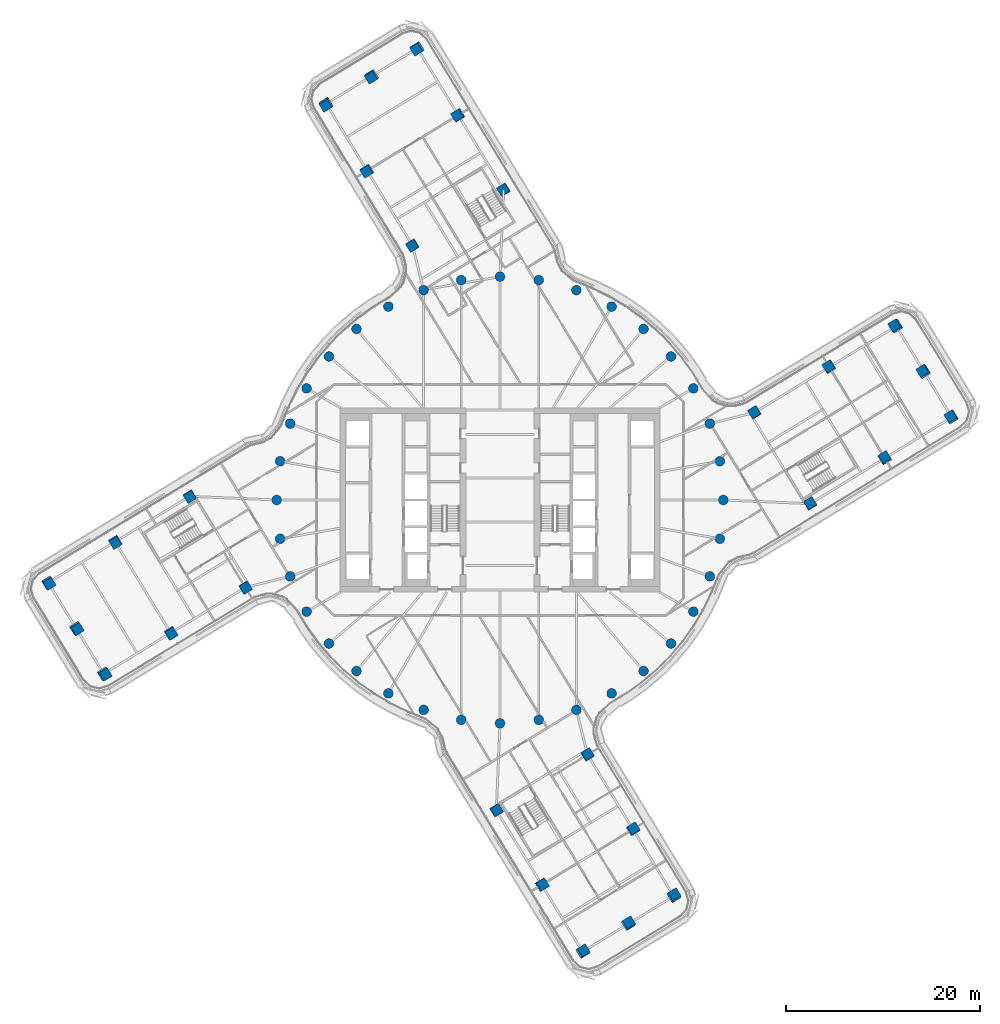
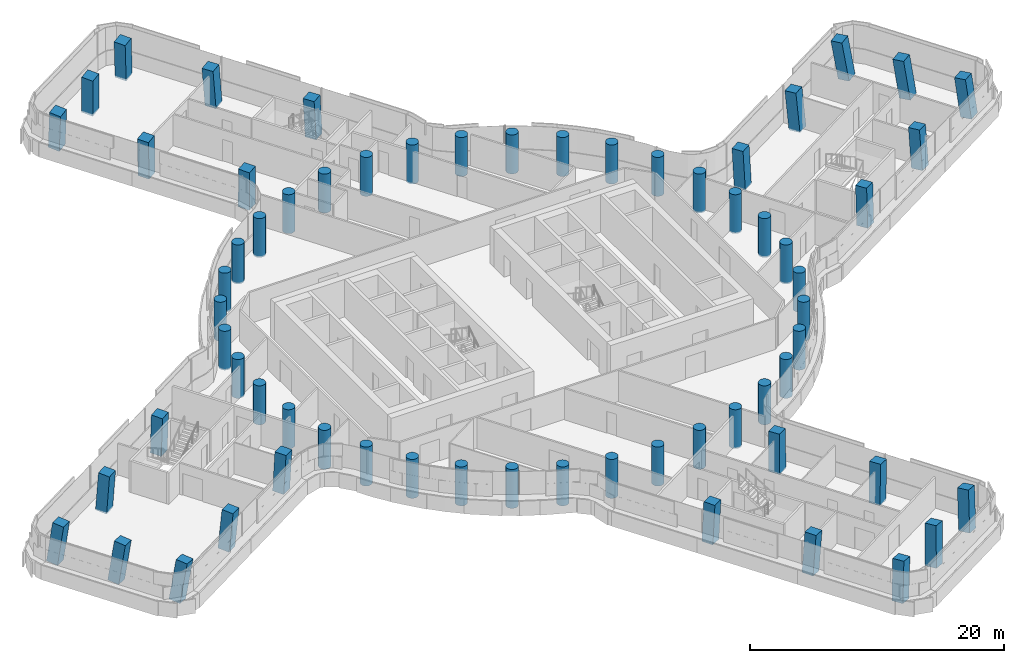
# One storey, part 1 of 35: 64 columns.
"""IFC4 building model written with IfcOpenShell, lengths in metres."""

from ifc_helpers import new_model, si_unit, direction, frame, origin, origin_2d, place, context, subcontext, project, spatial, rectangle, circle, extrude, material, material_profile, profile_set, type_object, element, save


model = new_model("IFC4")

# Units and contexts
model_context = context("Model", 3, precision=1e-05, world=origin(), true_north=direction((0.0, 1.0)))
body_context = subcontext(model_context, "Body", "Model", "MODEL_VIEW")
ifc_project = project(units=[si_unit("LENGTHUNIT", "METRE"), si_unit("AREAUNIT", "SQUARE_METRE"), si_unit("VOLUMEUNIT", "CUBIC_METRE"), si_unit("PLANEANGLEUNIT", "RADIAN"), si_unit("MASSUNIT", "GRAM", prefix="KILO")], contexts=[model_context])

# Site, building, storey
site_placement = place(None, origin())
site = spatial("IfcSite", under=ifc_project, at=site_placement, CompositionType="ELEMENT")
building_placement = place(site_placement, origin())
building = spatial("IfcBuilding", under=site, at=building_placement, Name="Tamarind Cross Interchange Tower", CompositionType="ELEMENT")
storey_placement = place(building_placement, frame((0.0, 0.0, 148.0)))
storey = spatial("IfcBuildingStorey", under=building, at=storey_placement, Name="L36", CompositionType="ELEMENT", Elevation=148.0)

# Columns
ifc_material = material(Name="Concrete C60", Category="concrete")
ifc_material_profile_1 = material_profile(ifc_material, rectangle(XDim=1.0, YDim=1.0, at=origin_2d()), Name="RC 1000x1000")
ifc_profile_set_1 = profile_set([ifc_material_profile_1], Name="Concrete C60")
column_type_1 = type_object("IfcColumnType", Name="Column RC 1000x1000 Concrete C60", PredefinedType="COLUMN", material=ifc_profile_set_1)
for number, where, z_axis, x_axis, name in (
    (1, (33.9140625, 13.696533203125, -0.138427734375), (-0.06685437675, 0.057053395304, 0.996130213573), (0.517672796484, -0.851493128503, 0.083512441541), "Column L36-036"),
    (2, (39.63623046875, 4.3017578125, -0.138427734375), (-0.021613905345, 0.085287302171, 0.996121937909), (-0.854423268053, -0.518932095216, 0.025891302851), "Column L36-037"),
):
    element("IfcColumn", number, at=place(storey_placement, frame(where, z_axis=z_axis, x_axis=x_axis)), inside=storey, type_object=column_type_1, Name=name, PredefinedType="COLUMN", context=body_context, shape_type="SweptSolid", body=[
        extrude(rectangle(XDim=1.0, YDim=1.0, at=origin_2d()), origin(), (0.0, 0.0, 1.0), 3.761474609375),
    ])
for number, where, z_axis, x_axis, name in (
    (3, (26.227783203125, 9.014892578125, -0.138671875), (-0.043990409117, 0.020108042037, 0.998829570323), (0.519858930305, -0.853311640668, 0.040074137328), "Column L36-038"),
    (4, (31.94970703125, -0.3798828125, -0.138671875), (0.001366565868, 0.048350401909, 0.998829500532), (-0.853631840504, -0.520209930488, 0.026349745717), "Column L36-039"),
):
    element("IfcColumn", number, at=place(storey_placement, frame(where, z_axis=z_axis, x_axis=x_axis)), inside=storey, type_object=column_type_1, Name=name, PredefinedType="COLUMN", context=body_context, shape_type="SweptSolid", body=[
        extrude(rectangle(XDim=1.0, YDim=1.0, at=origin_2d()), origin(), (0.0, 0.0, 1.0), 3.751708984375),
    ])
column_1_placement = place(storey_placement, frame((46.533935546875, 8.503662109375, -0.13525390625), z_axis=(-0.099531903881, 0.081423435339, 0.991697345105), x_axis=(0.514277257459, -0.848999233082, 0.121322729469)))
element("IfcColumn", 5, at=column_1_placement, inside=storey, type_object=column_type_1, Name="Column L36-040", PredefinedType="COLUMN", context=body_context, shape_type="SweptSolid", body=[
    extrude(rectangle(XDim=1.0, YDim=1.0, at=origin_2d()), origin(), (0.0, 0.0, 1.0), 3.77490234375),
])
column_2_placement = place(storey_placement, frame((43.6728515625, 13.200927734375, -0.135009765625), z_axis=(-0.121876735949, 0.067364830734, 0.990256553028), x_axis=(0.512743739526, -0.849982413295, 0.120928717294)))
element("IfcColumn", 6, at=column_2_placement, inside=storey, type_object=column_type_1, Name="Column L36-041", PredefinedType="COLUMN", context=body_context, shape_type="SweptSolid", body=[
    extrude(rectangle(XDim=1.0, YDim=1.0, at=origin_2d()), origin(), (0.0, 0.0, 1.0), 3.780029296875),
])
column_3_placement = place(storey_placement, frame((40.811767578125, 17.898193359375, -0.135009765625), z_axis=(-0.144044417453, 0.053235207524, 0.988138258788), x_axis=(0.511595326896, -0.850747638075, 0.120410455561)))
element("IfcColumn", 7, at=column_3_placement, inside=storey, type_object=column_type_1, Name="Column L36-042", PredefinedType="COLUMN", context=body_context, shape_type="SweptSolid", body=[
    extrude(rectangle(XDim=1.0, YDim=1.0, at=origin_2d()), origin(), (0.0, 0.0, 1.0), 3.7880859375),
])
for number, where, z_axis, x_axis, name in (
    (8, (-13.696533203125, 33.9140625, -0.138427734375), (-0.057053395304, -0.06685437675, 0.996130213573), (0.851493128503, 0.517672796484, 0.083512441541), "Column L36-043"),
    (9, (-4.3017578125, 39.63623046875, -0.138427734375), (-0.085287302171, -0.021613905345, 0.996121937909), (0.518932095216, -0.854423268053, 0.025891302851), "Column L36-044"),
):
    element("IfcColumn", number, at=place(storey_placement, frame(where, z_axis=z_axis, x_axis=x_axis)), inside=storey, type_object=column_type_1, Name=name, PredefinedType="COLUMN", context=body_context, shape_type="SweptSolid", body=[
        extrude(rectangle(XDim=1.0, YDim=1.0, at=origin_2d()), origin(), (0.0, 0.0, 1.0), 3.761474609375),
    ])
for number, where, z_axis, x_axis, name in (
    (10, (-9.014892578125, 26.227783203125, -0.138671875), (-0.020108042037, -0.043990409117, 0.998829570323), (0.853311640668, 0.519858930305, 0.040074137328), "Column L36-045"),
    (11, (0.3798828125, 31.94970703125, -0.138671875), (-0.048350401909, 0.001366565868, 0.998829500532), (0.520209930488, -0.853631840504, 0.026349745717), "Column L36-046"),
):
    element("IfcColumn", number, at=place(storey_placement, frame(where, z_axis=z_axis, x_axis=x_axis)), inside=storey, type_object=column_type_1, Name=name, PredefinedType="COLUMN", context=body_context, shape_type="SweptSolid", body=[
        extrude(rectangle(XDim=1.0, YDim=1.0, at=origin_2d()), origin(), (0.0, 0.0, 1.0), 3.751708984375),
    ])
column_4_placement = place(storey_placement, frame((-8.503662109375, 46.533935546875, -0.13525390625), z_axis=(-0.081423435339, -0.099531903881, 0.991697345105), x_axis=(0.848999233082, 0.514277257459, 0.121322729469)))
element("IfcColumn", 12, at=column_4_placement, inside=storey, type_object=column_type_1, Name="Column L36-047", PredefinedType="COLUMN", context=body_context, shape_type="SweptSolid", body=[
    extrude(rectangle(XDim=1.0, YDim=1.0, at=origin_2d()), origin(), (0.0, 0.0, 1.0), 3.77490234375),
])
column_5_placement = place(storey_placement, frame((-13.200927734375, 43.6728515625, -0.135009765625), z_axis=(-0.067364830734, -0.121876735949, 0.990256553028), x_axis=(0.849982413295, 0.512743739526, 0.120928717294)))
element("IfcColumn", 13, at=column_5_placement, inside=storey, type_object=column_type_1, Name="Column L36-048", PredefinedType="COLUMN", context=body_context, shape_type="SweptSolid", body=[
    extrude(rectangle(XDim=1.0, YDim=1.0, at=origin_2d()), origin(), (0.0, 0.0, 1.0), 3.780029296875),
])
column_6_placement = place(storey_placement, frame((-17.898193359375, 40.811767578125, -0.135009765625), z_axis=(-0.053235207524, -0.144044417453, 0.988138258788), x_axis=(0.850747638075, 0.511595326896, 0.120410455561)))
element("IfcColumn", 14, at=column_6_placement, inside=storey, type_object=column_type_1, Name="Column L36-049", PredefinedType="COLUMN", context=body_context, shape_type="SweptSolid", body=[
    extrude(rectangle(XDim=1.0, YDim=1.0, at=origin_2d()), origin(), (0.0, 0.0, 1.0), 3.7880859375),
])
for number, where, z_axis, x_axis, name in (
    (15, (-33.9140625, -13.696533203125, -0.138427734375), (0.06685437675, -0.057053395304, 0.996130213573), (-0.517672796484, 0.851493128503, 0.083512441541), "Column L36-050"),
    (16, (-39.63623046875, -4.3017578125, -0.138427734375), (0.021613905345, -0.085287302171, 0.996121937909), (0.854423268053, 0.518932095216, 0.025891302851), "Column L36-051"),
):
    element("IfcColumn", number, at=place(storey_placement, frame(where, z_axis=z_axis, x_axis=x_axis)), inside=storey, type_object=column_type_1, Name=name, PredefinedType="COLUMN", context=body_context, shape_type="SweptSolid", body=[
        extrude(rectangle(XDim=1.0, YDim=1.0, at=origin_2d()), origin(), (0.0, 0.0, 1.0), 3.761474609375),
    ])
for number, where, z_axis, x_axis, name in (
    (17, (-26.227783203125, -9.014892578125, -0.138671875), (0.043990409117, -0.020108042037, 0.998829570323), (-0.519858930305, 0.853311640668, 0.040074137328), "Column L36-052"),
    (18, (-31.94970703125, 0.3798828125, -0.138671875), (-0.001366565868, -0.048350401909, 0.998829500532), (0.853631840504, 0.520209930488, 0.026349745717), "Column L36-053"),
):
    element("IfcColumn", number, at=place(storey_placement, frame(where, z_axis=z_axis, x_axis=x_axis)), inside=storey, type_object=column_type_1, Name=name, PredefinedType="COLUMN", context=body_context, shape_type="SweptSolid", body=[
        extrude(rectangle(XDim=1.0, YDim=1.0, at=origin_2d()), origin(), (0.0, 0.0, 1.0), 3.751708984375),
    ])
column_7_placement = place(storey_placement, frame((-46.533935546875, -8.503662109375, -0.13525390625), z_axis=(0.099531903881, -0.081423435339, 0.991697345105), x_axis=(-0.514277257459, 0.848999233082, 0.121322729469)))
element("IfcColumn", 19, at=column_7_placement, inside=storey, type_object=column_type_1, Name="Column L36-054", PredefinedType="COLUMN", context=body_context, shape_type="SweptSolid", body=[
    extrude(rectangle(XDim=1.0, YDim=1.0, at=origin_2d()), origin(), (0.0, 0.0, 1.0), 3.77490234375),
])
column_8_placement = place(storey_placement, frame((-43.6728515625, -13.200927734375, -0.135009765625), z_axis=(0.121876735949, -0.067364830734, 0.990256553028), x_axis=(-0.512743739526, 0.849982413295, 0.120928717294)))
element("IfcColumn", 20, at=column_8_placement, inside=storey, type_object=column_type_1, Name="Column L36-055", PredefinedType="COLUMN", context=body_context, shape_type="SweptSolid", body=[
    extrude(rectangle(XDim=1.0, YDim=1.0, at=origin_2d()), origin(), (0.0, 0.0, 1.0), 3.780029296875),
])
column_9_placement = place(storey_placement, frame((-40.811767578125, -17.898193359375, -0.135009765625), z_axis=(0.144044417453, -0.053235207524, 0.988138258788), x_axis=(-0.511595326896, 0.850747638075, 0.120410455561)))
element("IfcColumn", 21, at=column_9_placement, inside=storey, type_object=column_type_1, Name="Column L36-056", PredefinedType="COLUMN", context=body_context, shape_type="SweptSolid", body=[
    extrude(rectangle(XDim=1.0, YDim=1.0, at=origin_2d()), origin(), (0.0, 0.0, 1.0), 3.7880859375),
])
for number, where, z_axis, x_axis, name in (
    (22, (13.696533203125, -33.9140625, -0.138427734375), (0.057053395304, 0.06685437675, 0.996130213573), (-0.851493128503, -0.517672796484, 0.083512441541), "Column L36-057"),
    (23, (4.3017578125, -39.63623046875, -0.138427734375), (0.085287302171, 0.021613905345, 0.996121937909), (-0.518932095216, 0.854423268053, 0.025891302851), "Column L36-058"),
):
    element("IfcColumn", number, at=place(storey_placement, frame(where, z_axis=z_axis, x_axis=x_axis)), inside=storey, type_object=column_type_1, Name=name, PredefinedType="COLUMN", context=body_context, shape_type="SweptSolid", body=[
        extrude(rectangle(XDim=1.0, YDim=1.0, at=origin_2d()), origin(), (0.0, 0.0, 1.0), 3.761474609375),
    ])
for number, where, z_axis, x_axis, name in (
    (24, (9.014892578125, -26.227783203125, -0.138671875), (0.020108042037, 0.043990409117, 0.998829570323), (-0.853311640668, -0.519858930305, 0.040074137328), "Column L36-059"),
    (25, (-0.3798828125, -31.94970703125, -0.138671875), (0.048350401909, -0.001366565868, 0.998829500532), (-0.520209930488, 0.853631840504, 0.026349745717), "Column L36-060"),
):
    element("IfcColumn", number, at=place(storey_placement, frame(where, z_axis=z_axis, x_axis=x_axis)), inside=storey, type_object=column_type_1, Name=name, PredefinedType="COLUMN", context=body_context, shape_type="SweptSolid", body=[
        extrude(rectangle(XDim=1.0, YDim=1.0, at=origin_2d()), origin(), (0.0, 0.0, 1.0), 3.751708984375),
    ])
column_10_placement = place(storey_placement, frame((8.503662109375, -46.533935546875, -0.13525390625), z_axis=(0.081423435339, 0.099531903881, 0.991697345105), x_axis=(-0.848999233082, -0.514277257459, 0.121322729469)))
element("IfcColumn", 26, at=column_10_placement, inside=storey, type_object=column_type_1, Name="Column L36-061", PredefinedType="COLUMN", context=body_context, shape_type="SweptSolid", body=[
    extrude(rectangle(XDim=1.0, YDim=1.0, at=origin_2d()), origin(), (0.0, 0.0, 1.0), 3.77490234375),
])
column_11_placement = place(storey_placement, frame((13.200927734375, -43.6728515625, -0.135009765625), z_axis=(0.067364830734, 0.121876735949, 0.990256553028), x_axis=(-0.849982413295, -0.512743739526, 0.120928717294)))
element("IfcColumn", 27, at=column_11_placement, inside=storey, type_object=column_type_1, Name="Column L36-062", PredefinedType="COLUMN", context=body_context, shape_type="SweptSolid", body=[
    extrude(rectangle(XDim=1.0, YDim=1.0, at=origin_2d()), origin(), (0.0, 0.0, 1.0), 3.780029296875),
])
column_12_placement = place(storey_placement, frame((17.898193359375, -40.811767578125, -0.135009765625), z_axis=(0.053235207524, 0.144044417453, 0.988138258788), x_axis=(-0.850747638075, -0.511595326896, 0.120410455561)))
element("IfcColumn", 28, at=column_12_placement, inside=storey, type_object=column_type_1, Name="Column L36-063", PredefinedType="COLUMN", context=body_context, shape_type="SweptSolid", body=[
    extrude(rectangle(XDim=1.0, YDim=1.0, at=origin_2d()), origin(), (0.0, 0.0, 1.0), 3.7880859375),
])
ifc_material_profile_2 = material_profile(ifc_material, circle(Radius=0.5, at=origin_2d()), Name="RC D1000")
ifc_profile_set_2 = profile_set([ifc_material_profile_2], Name="Concrete C60")
column_type_2 = type_object("IfcColumnType", Name="Column RC D1000 Concrete C60", PredefinedType="COLUMN", material=ifc_profile_set_2)
for number, where, z_axis, x_axis, name in (
    (29, (23.0, 0.0, -0.139892578125), (0.0, 0.0, 1.0), (1.0, 0.0, 0.0), "Column L36-000"),
    (30, (22.650634765625, 3.993896484375, -0.139892578125), (0.0, 0.0, 1.0), (1.0, 0.0, 0.0), "Column L36-001"),
    (31, (21.613037109375, 7.866455078125, -0.139892578125), (0.0, 0.0, 1.0), (1.0, 0.0, 0.0), "Column L36-002"),
    (32, (19.918701171875, 11.5, -0.139892578125), (0.0, 0.0, 1.0), (1.0, 0.0, 0.0), "Column L36-003"),
    (33, (17.619140625, 14.7841796875, -0.139892578125), (0.0, 0.0, 1.0), (1.0, 0.0, 0.0), "Column L36-004"),
    (34, (14.7841796875, 17.619140625, -0.139892578125), (0.0, 0.0, 1.0), (1.0, 0.0, 0.0), "Column L36-005"),
    (35, (11.5, 19.918701171875, -0.139892578125), (0.0, 0.0, 1.0), (1.0, 0.0, 0.0), "Column L36-006"),
    (36, (7.866455078125, 21.613037109375, -0.139892578125), (0.0, 0.0, 1.0), (1.0, 0.0, 0.0), "Column L36-007"),
    (37, (3.993896484375, 22.650634765625, -0.139892578125), (0.0, 0.0, 1.0), (1.0, 0.0, 0.0), "Column L36-008"),
    (38, (0.0, 23.0, -0.139892578125), (0.0, 0.0, 1.0), (1.0, 0.0, 0.0), "Column L36-009"),
    (39, (-3.993896484375, 22.650634765625, -0.139892578125), (0.0, 0.0, 1.0), (1.0, 0.0, 0.0), "Column L36-010"),
    (40, (-7.866455078125, 21.613037109375, -0.139892578125), (0.0, 0.0, 1.0), (1.0, 0.0, 0.0), "Column L36-011"),
    (41, (-11.5, 19.918701171875, -0.139892578125), (0.0, 0.0, 1.0), (1.0, 0.0, 0.0), "Column L36-012"),
    (42, (-14.7841796875, 17.619140625, -0.139892578125), (0.0, 0.0, 1.0), (1.0, 0.0, 0.0), "Column L36-013"),
    (43, (-17.619140625, 14.7841796875, -0.139892578125), (0.0, 0.0, 1.0), (1.0, 0.0, 0.0), "Column L36-014"),
    (44, (-19.918701171875, 11.5, -0.139892578125), (0.0, 0.0, 1.0), (1.0, 0.0, 0.0), "Column L36-015"),
    (45, (-21.613037109375, 7.866455078125, -0.139892578125), (0.0, 0.0, 1.0), (1.0, 0.0, 0.0), "Column L36-016"),
    (46, (-22.650634765625, 3.993896484375, -0.139892578125), (0.0, 0.0, 1.0), (1.0, 0.0, 0.0), "Column L36-017"),
    (47, (-23.0, 0.0, -0.139892578125), (0.0, 0.0, 1.0), (1.0, 0.0, 0.0), "Column L36-018"),
    (48, (-22.650634765625, -3.993896484375, -0.139892578125), (0.0, 0.0, 1.0), (1.0, 0.0, 0.0), "Column L36-019"),
    (49, (-21.613037109375, -7.866455078125, -0.139892578125), (0.0, 0.0, 1.0), (1.0, 0.0, 0.0), "Column L36-020"),
    (50, (-19.918701171875, -11.5, -0.139892578125), (0.0, 0.0, 1.0), (1.0, 0.0, 0.0), "Column L36-021"),
    (51, (-17.619140625, -14.7841796875, -0.139892578125), (0.0, 0.0, 1.0), (1.0, 0.0, 0.0), "Column L36-022"),
    (52, (-14.7841796875, -17.619140625, -0.139892578125), (0.0, 0.0, 1.0), (1.0, 0.0, 0.0), "Column L36-023"),
    (53, (-11.5, -19.918701171875, -0.139892578125), (0.0, 0.0, 1.0), (1.0, 0.0, 0.0), "Column L36-024"),
    (54, (-7.866455078125, -21.613037109375, -0.139892578125), (0.0, 0.0, 1.0), (1.0, 0.0, 0.0), "Column L36-025"),
    (55, (-3.993896484375, -22.650634765625, -0.139892578125), (0.0, 0.0, 1.0), (1.0, 0.0, 0.0), "Column L36-026"),
    (56, (0.0, -23.0, -0.139892578125), (0.0, 0.0, 1.0), (1.0, 0.0, 0.0), "Column L36-027"),
    (57, (3.993896484375, -22.650634765625, -0.139892578125), (0.0, 0.0, 1.0), (1.0, 0.0, 0.0), "Column L36-028"),
    (58, (7.866455078125, -21.613037109375, -0.139892578125), (0.0, 0.0, 1.0), (1.0, 0.0, 0.0), "Column L36-029"),
    (59, (11.5, -19.918701171875, -0.139892578125), (0.0, 0.0, 1.0), (1.0, 0.0, 0.0), "Column L36-030"),
    (60, (14.7841796875, -17.619140625, -0.139892578125), (0.0, 0.0, 1.0), (1.0, 0.0, 0.0), "Column L36-031"),
    (61, (17.619140625, -14.7841796875, -0.139892578125), (0.0, 0.0, 1.0), (1.0, 0.0, 0.0), "Column L36-032"),
    (62, (19.918701171875, -11.5, -0.139892578125), (0.0, 0.0, 1.0), (1.0, 0.0, 0.0), "Column L36-033"),
    (63, (21.613037109375, -7.866455078125, -0.139892578125), (0.0, 0.0, 1.0), (1.0, 0.0, 0.0), "Column L36-034"),
    (64, (22.650634765625, -3.993896484375, -0.139892578125), (0.0, 0.0, 1.0), (1.0, 0.0, 0.0), "Column L36-035"),
):
    element("IfcColumn", number, at=place(storey_placement, frame(where, z_axis=z_axis, x_axis=x_axis)), inside=storey, type_object=column_type_2, Name=name, PredefinedType="COLUMN", context=body_context, shape_type="SweptSolid", body=[
        extrude(circle(Radius=0.5, at=origin_2d()), origin(), (0.0, 0.0, 1.0), 3.75),
    ])

save(model, "model.ifc")
